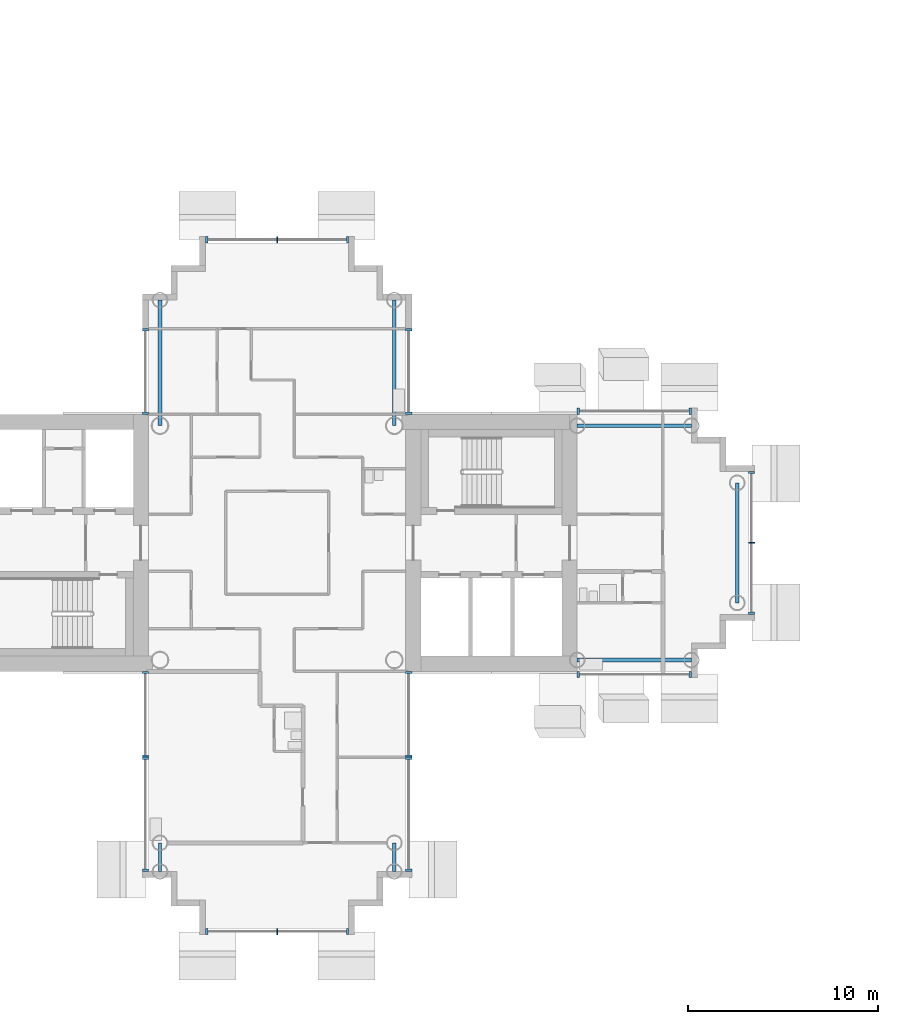
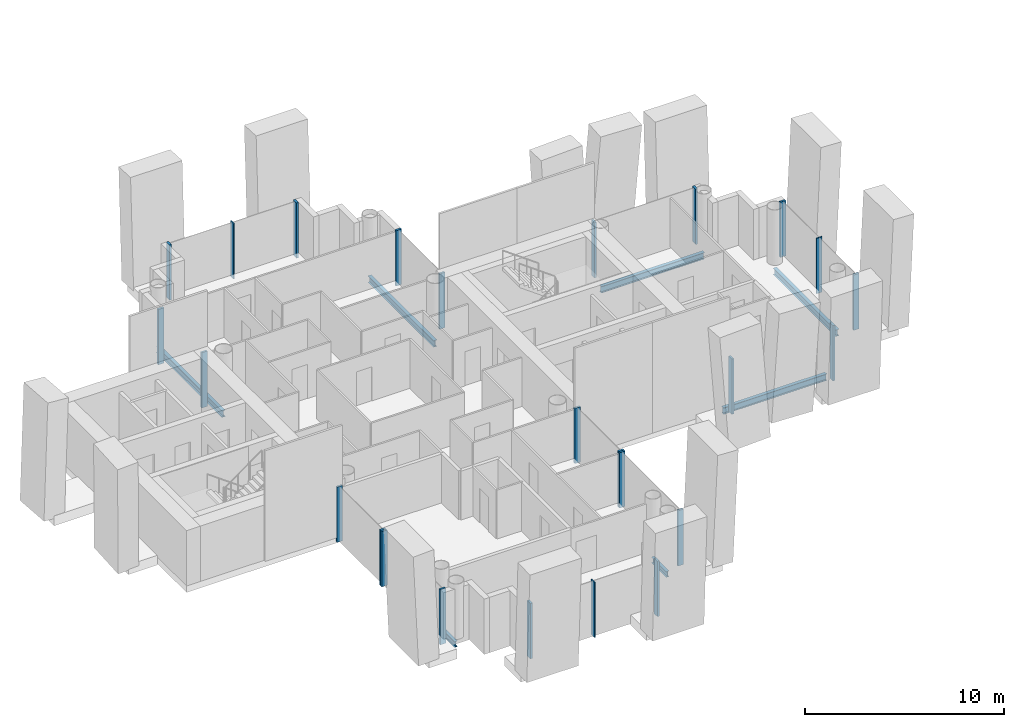
# One storey, part 3 of 18: 25 members, 7 beams, 11 elements without a shape of their own.
"""IFC4 building model written with IfcOpenShell, lengths in metres."""

from ifc_helpers import new_model, si_unit, direction, frame, origin, origin_2d, place, context, subcontext, project, spatial, rectangle, i_section, extrude, material, layer, layer_set, material_profile, profile_set, type_object, element, aggregate, save


model = new_model("IFC4")

# Units and contexts
model_context = context("Model", 3, precision=1e-05, world=origin(), true_north=direction((0.0, 1.0)))
body_context = subcontext(model_context, "Body", "Model", "MODEL_VIEW")
ifc_project = project(units=[si_unit("LENGTHUNIT", "METRE"), si_unit("AREAUNIT", "SQUARE_METRE"), si_unit("VOLUMEUNIT", "CUBIC_METRE"), si_unit("PLANEANGLEUNIT", "RADIAN"), si_unit("MASSUNIT", "GRAM", prefix="KILO")], contexts=[model_context])

# Site, building, storey
site_placement = place(None, origin())
site = spatial("IfcSite", under=ifc_project, at=site_placement, CompositionType="ELEMENT")
building_placement = place(site_placement, origin())
building = spatial("IfcBuilding", under=site, at=building_placement, Name="Ipe Terrace Towers", CompositionType="ELEMENT")
storey_placement = place(building_placement, frame((0.0, 0.0, 171.10009765625)))
storey = spatial("IfcBuildingStorey", under=building, at=storey_placement, Name="L47", CompositionType="ELEMENT", Elevation=171.10009765625)

# Beams
ifc_material_1 = material(Name="Steel S355", Category="steel")
ifc_material_profile_1 = material_profile(ifc_material_1, i_section(OverallWidth=0.175048828125, OverallDepth=0.35009765625, WebThickness=0.007080078125, FlangeThickness=0.010986328125, at=origin_2d()), Name="H-350x175x7x11")
ifc_profile_set_1 = profile_set([ifc_material_profile_1], Name="Steel S355")
beam_type_1 = type_object("IfcBeamType", Name="H04 EDGE BEAM H-350x175x7x11", PredefinedType="BEAM", material=ifc_profile_set_1)
for number, where, z_axis, x_axis, name in (
    (1, (-42.14990234375, -15.75, -0.5751953125), (0.0, -1.0, 0.0), (1.0, 0.0, 0.0), "Edge beam T1-EB-D03-D05"),
    (2, (-29.85009765625, -15.75, -0.5751953125), (0.0, -1.0, 0.0), (1.0, 0.0, 0.0), "Edge beam T1-EB-D04-D06"),
):
    element("IfcBeam", number, at=place(storey_placement, frame(where, z_axis=z_axis, x_axis=x_axis)), inside=storey, type_object=beam_type_1, Name=name, PredefinedType="BEAM", context=body_context, shape_type="SweptSolid", body=[
        extrude(i_section(OverallWidth=0.175048828125, OverallDepth=0.35009765625, WebThickness=0.007080078125, FlangeThickness=0.010986328125, at=origin_2d()), origin(), (0.0, 0.0, 1.0), 1.5),
    ])
ifc_material_2 = material(Name="Steel S355", Category="steel")
ifc_material_profile_2 = material_profile(ifc_material_2, i_section(OverallWidth=0.199951171875, OverallDepth=0.39990234375, WebThickness=0.008056640625, FlangeThickness=0.012939453125, at=origin_2d()), Name="H-400x200x8x13")
ifc_profile_set_2 = profile_set([ifc_material_profile_2], Name="Steel S355")
beam_type_2 = type_object("IfcBeamType", Name="H06 EDGE BEAM H-400x200x8x13", PredefinedType="BEAM", material=ifc_profile_set_2)
for number, where, z_axis, x_axis, name in (
    (3, (-20.25, -6.14990234375, -0.60009765625), (1.0, 0.0, 0.0), (0.0, 1.0, 0.0), "Edge beam T1-EB-A01-A03"),
    (4, (-20.25, 6.14990234375, -0.60009765625), (1.0, 0.0, 0.0), (0.0, 1.0, 0.0), "Edge beam T1-EB-A02-A04"),
):
    element("IfcBeam", number, at=place(storey_placement, frame(where, z_axis=z_axis, x_axis=x_axis)), inside=storey, type_object=beam_type_2, Name=name, PredefinedType="BEAM", context=body_context, shape_type="SweptSolid", body=[
        extrude(i_section(OverallWidth=0.199951171875, OverallDepth=0.39990234375, WebThickness=0.008056640625, FlangeThickness=0.012939453125, at=origin_2d()), origin(), (0.0, 0.0, 1.0), 6.0),
    ])
beam_placement = place(storey_placement, frame((-11.85009765625, -3.14990234375, -0.60009765625), z_axis=(0.0, 1.0, 0.0), x_axis=(-1.0, 0.0, 0.0)))
element("IfcBeam", 5, at=beam_placement, inside=storey, type_object=beam_type_2, Name="Edge beam T1-EB-A05-A06", PredefinedType="BEAM", context=body_context, shape_type="SweptSolid", body=[
    extrude(i_section(OverallWidth=0.199951171875, OverallDepth=0.39990234375, WebThickness=0.008056640625, FlangeThickness=0.012939453125, at=origin_2d()), origin(), (0.0, 0.0, 1.0), 6.2998046875),
])
for number, where, z_axis, x_axis, name in (
    (6, (-29.85009765625, 12.75, -0.60009765625), (0.0, -1.0, 0.0), (1.0, 0.0, 0.0), "Edge beam T1-EB-B01-E03"),
    (7, (-42.14990234375, 12.75, -0.60009765625), (0.0, -1.0, 0.0), (1.0, 0.0, 0.0), "Edge beam T1-EB-B02-E04"),
):
    element("IfcBeam", number, at=place(storey_placement, frame(where, z_axis=z_axis, x_axis=x_axis)), inside=storey, type_object=beam_type_2, Name=name, PredefinedType="BEAM", context=body_context, shape_type="SweptSolid", body=[
        extrude(i_section(OverallWidth=0.199951171875, OverallDepth=0.39990234375, WebThickness=0.008056640625, FlangeThickness=0.012939453125, at=origin_2d()), origin(), (0.0, 0.0, 1.0), 6.60009765625),
    ])

# Curtain wall, members
ifc_material_3 = material(Name="Aluminium alloy 6063-T6", Category="aluminium")
ifc_layer = layer(ifc_material_3, 0.320068359375)
ifc_layer_set = layer_set([ifc_layer], Name="TOWER UNITISED CURTAIN WALL")
curtain_wall_type = type_object("IfcCurtainWallType", Name="TOWER UNITISED CURTAIN WALL", PredefinedType="NOTDEFINED", material=ifc_layer_set)
curtain_wall_1_placement = place(storey_placement, origin())
curtain_wall_1 = element("IfcCurtainWall", 8, at=curtain_wall_1_placement, inside=storey, type_object=curtain_wall_type, Name="T1-CW-L47-02a curtain wall", PredefinedType="NOTDEFINED")
ifc_material_4 = material(Name="Aluminium alloy 6063-T6", Category="aluminium")
ifc_material_profile_3 = material_profile(ifc_material_4, rectangle(XDim=0.320068359375, YDim=0.1201171875, at=origin_2d()), Name="TOWER UNITISED CORNER MULLION 320 x 120")
ifc_profile_set_3 = profile_set([ifc_material_profile_3], Name="Aluminium alloy 6063-T6")
member_type_1 = type_object("IfcMemberType", Name="TOWER UNITISED CORNER MULLION 320 x 120", PredefinedType="MULLION", material=ifc_profile_set_3)
member_1_placement = place(storey_placement, frame((-42.909912109375, -6.81005859375, -0.300048828125), z_axis=(0.0, 0.0, 1.0), x_axis=(-1.0, 0.0, 0.0)))
member_1 = element("IfcMember", 9, at=member_1_placement, type_object=member_type_1, Name="T1-CW-L47-02a mullion 1", PredefinedType="MULLION", context=body_context, shape_type="SweptSolid", body=[
    extrude(rectangle(XDim=0.320068359375, YDim=0.1201171875, at=origin_2d()), origin(), (0.0, 0.0, 1.0), 3.39990234375),
])
member_2_placement = place(storey_placement, frame((-42.909912109375, -11.18994140625, -0.300048828125), z_axis=(0.0, 0.0, 1.0), x_axis=(-1.0, 0.0, 0.0)))
member_2 = element("IfcMember", 10, at=member_2_placement, type_object=member_type_1, Name="T1-CW-L47-02a mullion 2", PredefinedType="MULLION", context=body_context, shape_type="SweptSolid", body=[
    extrude(rectangle(XDim=0.320068359375, YDim=0.1201171875, at=origin_2d()), origin(), (0.0, 0.0, 1.0), 3.39990234375),
])
aggregate(curtain_wall_1, [member_1, member_2])

curtain_wall_2_placement = place(storey_placement, origin())
curtain_wall_2 = element("IfcCurtainWall", 11, at=curtain_wall_2_placement, inside=storey, type_object=curtain_wall_type, Name="T1-CW-L47-03a curtain wall", PredefinedType="NOTDEFINED")
member_3_placement = place(storey_placement, frame((-42.909912109375, -11.31005859375, -0.300048828125), z_axis=(0.0, 0.0, 1.0), x_axis=(-1.0, 0.0, 0.0)))
member_3 = element("IfcMember", 12, at=member_3_placement, type_object=member_type_1, Name="T1-CW-L47-03a mullion 1", PredefinedType="MULLION", context=body_context, shape_type="SweptSolid", body=[
    extrude(rectangle(XDim=0.320068359375, YDim=0.1201171875, at=origin_2d()), origin(), (0.0, 0.0, 1.0), 3.39990234375),
])
member_4_placement = place(storey_placement, frame((-42.909912109375, -17.18994140625, -0.300048828125), z_axis=(0.0, 0.0, 1.0), x_axis=(-1.0, 0.0, 0.0)))
member_4 = element("IfcMember", 13, at=member_4_placement, type_object=member_type_1, Name="T1-CW-L47-03a mullion 2", PredefinedType="MULLION", context=body_context, shape_type="SweptSolid", body=[
    extrude(rectangle(XDim=0.320068359375, YDim=0.1201171875, at=origin_2d()), origin(), (0.0, 0.0, 1.0), 3.39990234375),
])
aggregate(curtain_wall_2, [member_3, member_4])

curtain_wall_3_placement = place(storey_placement, origin())
curtain_wall_3 = element("IfcCurtainWall", 14, at=curtain_wall_3_placement, inside=storey, type_object=curtain_wall_type, Name="T1-CW-L47-08a curtain wall", PredefinedType="NOTDEFINED")
member_5_placement = place(storey_placement, frame((-39.68994140625, -20.409912109375, -0.300048828125), z_axis=(0.0, 0.0, 1.0), x_axis=(0.0, -1.0, 0.0)))
member_5 = element("IfcMember", 15, at=member_5_placement, type_object=member_type_1, Name="T1-CW-L47-08a mullion 1", PredefinedType="MULLION", context=body_context, shape_type="SweptSolid", body=[
    extrude(rectangle(XDim=0.320068359375, YDim=0.1201171875, at=origin_2d()), origin(), (0.0, 0.0, 1.0), 3.39990234375),
])
member_6_placement = place(storey_placement, frame((-32.31005859375, -20.409912109375, -0.300048828125), z_axis=(0.0, 0.0, 1.0), x_axis=(0.0, -1.0, 0.0)))
member_6 = element("IfcMember", 16, at=member_6_placement, type_object=member_type_1, Name="T1-CW-L47-08a mullion 3", PredefinedType="MULLION", context=body_context, shape_type="SweptSolid", body=[
    extrude(rectangle(XDim=0.320068359375, YDim=0.1201171875, at=origin_2d()), origin(), (0.0, 0.0, 1.0), 3.39990234375),
])

curtain_wall_4_placement = place(storey_placement, origin())
curtain_wall_4 = element("IfcCurtainWall", 17, at=curtain_wall_4_placement, inside=storey, type_object=curtain_wall_type, Name="T1-CW-L47-13a curtain wall", PredefinedType="NOTDEFINED")
member_7_placement = place(storey_placement, frame((-29.090087890625, -17.18994140625, -0.300048828125), z_axis=(0.0, 0.0, 1.0), x_axis=(1.0, 0.0, 0.0)))
member_7 = element("IfcMember", 18, at=member_7_placement, type_object=member_type_1, Name="T1-CW-L47-13a mullion 1", PredefinedType="MULLION", context=body_context, shape_type="SweptSolid", body=[
    extrude(rectangle(XDim=0.320068359375, YDim=0.1201171875, at=origin_2d()), origin(), (0.0, 0.0, 1.0), 3.39990234375),
])
member_8_placement = place(storey_placement, frame((-29.090087890625, -11.31005859375, -0.300048828125), z_axis=(0.0, 0.0, 1.0), x_axis=(1.0, 0.0, 0.0)))
member_8 = element("IfcMember", 19, at=member_8_placement, type_object=member_type_1, Name="T1-CW-L47-13a mullion 2", PredefinedType="MULLION", context=body_context, shape_type="SweptSolid", body=[
    extrude(rectangle(XDim=0.320068359375, YDim=0.1201171875, at=origin_2d()), origin(), (0.0, 0.0, 1.0), 3.39990234375),
])
aggregate(curtain_wall_4, [member_7, member_8])

curtain_wall_5_placement = place(storey_placement, origin())
curtain_wall_5 = element("IfcCurtainWall", 20, at=curtain_wall_5_placement, inside=storey, type_object=curtain_wall_type, Name="T1-CW-L47-14a curtain wall", PredefinedType="NOTDEFINED")
member_9_placement = place(storey_placement, frame((-29.090087890625, -11.18994140625, -0.300048828125), z_axis=(0.0, 0.0, 1.0), x_axis=(1.0, 0.0, 0.0)))
member_9 = element("IfcMember", 21, at=member_9_placement, type_object=member_type_1, Name="T1-CW-L47-14a mullion 1", PredefinedType="MULLION", context=body_context, shape_type="SweptSolid", body=[
    extrude(rectangle(XDim=0.320068359375, YDim=0.1201171875, at=origin_2d()), origin(), (0.0, 0.0, 1.0), 3.39990234375),
])
member_10_placement = place(storey_placement, frame((-29.090087890625, -6.81005859375, -0.300048828125), z_axis=(0.0, 0.0, 1.0), x_axis=(1.0, 0.0, 0.0)))
member_10 = element("IfcMember", 22, at=member_10_placement, type_object=member_type_1, Name="T1-CW-L47-14a mullion 2", PredefinedType="MULLION", context=body_context, shape_type="SweptSolid", body=[
    extrude(rectangle(XDim=0.320068359375, YDim=0.1201171875, at=origin_2d()), origin(), (0.0, 0.0, 1.0), 3.39990234375),
])
aggregate(curtain_wall_5, [member_9, member_10])

curtain_wall_6_placement = place(storey_placement, origin())
curtain_wall_6 = element("IfcCurtainWall", 23, at=curtain_wall_6_placement, inside=storey, type_object=curtain_wall_type, Name="T1-CW-L47-16b curtain wall", PredefinedType="NOTDEFINED")
member_11_placement = place(storey_placement, frame((-20.18896484375, -6.909912109375, -0.300048828125), z_axis=(0.0, 0.0, 1.0), x_axis=(0.0, -1.0, 0.0)))
member_11 = element("IfcMember", 24, at=member_11_placement, type_object=member_type_1, Name="T1-CW-L47-16b mullion 1", PredefinedType="MULLION", context=body_context, shape_type="SweptSolid", body=[
    extrude(rectangle(XDim=0.320068359375, YDim=0.1201171875, at=origin_2d()), origin(), (0.0, 0.0, 1.0), 3.39990234375),
])
member_12_placement = place(storey_placement, frame((-14.31005859375, -6.909912109375, -0.300048828125), z_axis=(0.0, 0.0, 1.0), x_axis=(0.0, -1.0, 0.0)))
member_12 = element("IfcMember", 25, at=member_12_placement, type_object=member_type_1, Name="T1-CW-L47-16b mullion 2", PredefinedType="MULLION", context=body_context, shape_type="SweptSolid", body=[
    extrude(rectangle(XDim=0.320068359375, YDim=0.1201171875, at=origin_2d()), origin(), (0.0, 0.0, 1.0), 3.39990234375),
])
aggregate(curtain_wall_6, [member_11, member_12])

curtain_wall_7_placement = place(storey_placement, origin())
curtain_wall_7 = element("IfcCurtainWall", 26, at=curtain_wall_7_placement, inside=storey, type_object=curtain_wall_type, Name="T1-CW-L47-21a curtain wall", PredefinedType="NOTDEFINED")
member_13_placement = place(storey_placement, frame((-11.090087890625, -3.68994140625, -0.300048828125), z_axis=(0.0, 0.0, 1.0), x_axis=(1.0, 0.0, 0.0)))
member_13 = element("IfcMember", 27, at=member_13_placement, type_object=member_type_1, Name="T1-CW-L47-21a mullion 1", PredefinedType="MULLION", context=body_context, shape_type="SweptSolid", body=[
    extrude(rectangle(XDim=0.320068359375, YDim=0.1201171875, at=origin_2d()), origin(), (0.0, 0.0, 1.0), 3.39990234375),
])
member_14_placement = place(storey_placement, frame((-11.090087890625, 3.68994140625, -0.300048828125), z_axis=(0.0, 0.0, 1.0), x_axis=(1.0, 0.0, 0.0)))
member_14 = element("IfcMember", 28, at=member_14_placement, type_object=member_type_1, Name="T1-CW-L47-21a mullion 3", PredefinedType="MULLION", context=body_context, shape_type="SweptSolid", body=[
    extrude(rectangle(XDim=0.320068359375, YDim=0.1201171875, at=origin_2d()), origin(), (0.0, 0.0, 1.0), 3.39990234375),
])

curtain_wall_8_placement = place(storey_placement, origin())
curtain_wall_8 = element("IfcCurtainWall", 29, at=curtain_wall_8_placement, inside=storey, type_object=curtain_wall_type, Name="T1-CW-L47-26a curtain wall", PredefinedType="NOTDEFINED")
member_15_placement = place(storey_placement, frame((-14.31005859375, 6.909912109375, -0.300048828125), z_axis=(0.0, 0.0, 1.0), x_axis=(0.0, 1.0, 0.0)))
member_15 = element("IfcMember", 30, at=member_15_placement, type_object=member_type_1, Name="T1-CW-L47-26a mullion 1", PredefinedType="MULLION", context=body_context, shape_type="SweptSolid", body=[
    extrude(rectangle(XDim=0.320068359375, YDim=0.1201171875, at=origin_2d()), origin(), (0.0, 0.0, 1.0), 3.39990234375),
])
member_16_placement = place(storey_placement, frame((-20.18896484375, 6.909912109375, -0.300048828125), z_axis=(0.0, 0.0, 1.0), x_axis=(0.0, 1.0, 0.0)))
member_16 = element("IfcMember", 31, at=member_16_placement, type_object=member_type_1, Name="T1-CW-L47-26a mullion 2", PredefinedType="MULLION", context=body_context, shape_type="SweptSolid", body=[
    extrude(rectangle(XDim=0.320068359375, YDim=0.1201171875, at=origin_2d()), origin(), (0.0, 0.0, 1.0), 3.39990234375),
])
aggregate(curtain_wall_8, [member_15, member_16])

curtain_wall_9_placement = place(storey_placement, origin())
curtain_wall_9 = element("IfcCurtainWall", 32, at=curtain_wall_9_placement, inside=storey, type_object=curtain_wall_type, Name="T1-CW-L47-28a curtain wall", PredefinedType="NOTDEFINED")
member_17_placement = place(storey_placement, frame((-29.090087890625, 6.81005859375, -0.300048828125), z_axis=(0.0, 0.0, 1.0), x_axis=(1.0, 0.0, 0.0)))
member_17 = element("IfcMember", 33, at=member_17_placement, type_object=member_type_1, Name="T1-CW-L47-28a mullion 1", PredefinedType="MULLION", context=body_context, shape_type="SweptSolid", body=[
    extrude(rectangle(XDim=0.320068359375, YDim=0.1201171875, at=origin_2d()), origin(), (0.0, 0.0, 1.0), 3.39990234375),
])
member_18_placement = place(storey_placement, frame((-29.090087890625, 11.18994140625, -0.300048828125), z_axis=(0.0, 0.0, 1.0), x_axis=(1.0, 0.0, 0.0)))
member_18 = element("IfcMember", 34, at=member_18_placement, type_object=member_type_1, Name="T1-CW-L47-28a mullion 2", PredefinedType="MULLION", context=body_context, shape_type="SweptSolid", body=[
    extrude(rectangle(XDim=0.320068359375, YDim=0.1201171875, at=origin_2d()), origin(), (0.0, 0.0, 1.0), 3.39990234375),
])
aggregate(curtain_wall_9, [member_17, member_18])

curtain_wall_10_placement = place(storey_placement, origin())
curtain_wall_10 = element("IfcCurtainWall", 35, at=curtain_wall_10_placement, inside=storey, type_object=curtain_wall_type, Name="T1-CW-L47-34a curtain wall", PredefinedType="NOTDEFINED")
member_19_placement = place(storey_placement, frame((-32.31005859375, 15.909912109375, -0.300048828125), z_axis=(0.0, 0.0, 1.0), x_axis=(0.0, 1.0, 0.0)))
member_19 = element("IfcMember", 36, at=member_19_placement, type_object=member_type_1, Name="T1-CW-L47-34a mullion 1", PredefinedType="MULLION", context=body_context, shape_type="SweptSolid", body=[
    extrude(rectangle(XDim=0.320068359375, YDim=0.1201171875, at=origin_2d()), origin(), (0.0, 0.0, 1.0), 3.39990234375),
])
member_20_placement = place(storey_placement, frame((-39.68994140625, 15.909912109375, -0.300048828125), z_axis=(0.0, 0.0, 1.0), x_axis=(0.0, 1.0, 0.0)))
member_20 = element("IfcMember", 37, at=member_20_placement, type_object=member_type_1, Name="T1-CW-L47-34a mullion 3", PredefinedType="MULLION", context=body_context, shape_type="SweptSolid", body=[
    extrude(rectangle(XDim=0.320068359375, YDim=0.1201171875, at=origin_2d()), origin(), (0.0, 0.0, 1.0), 3.39990234375),
])

curtain_wall_11_placement = place(storey_placement, origin())
curtain_wall_11 = element("IfcCurtainWall", 38, at=curtain_wall_11_placement, inside=storey, type_object=curtain_wall_type, Name="T1-CW-L47-40a curtain wall", PredefinedType="NOTDEFINED")
member_21_placement = place(storey_placement, frame((-42.909912109375, 11.18994140625, -0.300048828125), z_axis=(0.0, 0.0, 1.0), x_axis=(-1.0, 0.0, 0.0)))
member_21 = element("IfcMember", 39, at=member_21_placement, type_object=member_type_1, Name="T1-CW-L47-40a mullion 1", PredefinedType="MULLION", context=body_context, shape_type="SweptSolid", body=[
    extrude(rectangle(XDim=0.320068359375, YDim=0.1201171875, at=origin_2d()), origin(), (0.0, 0.0, 1.0), 3.39990234375),
])
member_22_placement = place(storey_placement, frame((-42.909912109375, 6.81005859375, -0.300048828125), z_axis=(0.0, 0.0, 1.0), x_axis=(-1.0, 0.0, 0.0)))
member_22 = element("IfcMember", 40, at=member_22_placement, type_object=member_type_1, Name="T1-CW-L47-40a mullion 2", PredefinedType="MULLION", context=body_context, shape_type="SweptSolid", body=[
    extrude(rectangle(XDim=0.320068359375, YDim=0.1201171875, at=origin_2d()), origin(), (0.0, 0.0, 1.0), 3.39990234375),
])
aggregate(curtain_wall_11, [member_21, member_22])

# Member
ifc_material_5 = material(Name="Aluminium alloy 6063-T6", Category="aluminium")
ifc_material_profile_4 = material_profile(ifc_material_5, rectangle(XDim=0.320068359375, YDim=0.06494140625, at=origin_2d()), Name="TOWER UNITISED MULLION 320 x 65")
ifc_profile_set_4 = profile_set([ifc_material_profile_4], Name="Aluminium alloy 6063-T6")
member_type_2 = type_object("IfcMemberType", Name="TOWER UNITISED MULLION 320 x 65", PredefinedType="MULLION", material=ifc_profile_set_4)
member_23_placement = place(storey_placement, frame((-36.0, -20.409912109375, -0.300048828125), z_axis=(0.0, 0.0, 1.0), x_axis=(0.0, -1.0, 0.0)))
member_23 = element("IfcMember", 41, at=member_23_placement, type_object=member_type_2, Name="T1-CW-L47-08a mullion 2", PredefinedType="MULLION", context=body_context, shape_type="SweptSolid", body=[
    extrude(rectangle(XDim=0.320068359375, YDim=0.06494140625, at=origin_2d()), origin(), (0.0, 0.0, 1.0), 3.39990234375),
])

aggregate(curtain_wall_3, [member_5, member_23, member_6])

member_24_placement = place(storey_placement, frame((-11.090087890625, 0.0, -0.300048828125), z_axis=(0.0, 0.0, 1.0), x_axis=(1.0, 0.0, 0.0)))
member_24 = element("IfcMember", 42, at=member_24_placement, type_object=member_type_2, Name="T1-CW-L47-21a mullion 2", PredefinedType="MULLION", context=body_context, shape_type="SweptSolid", body=[
    extrude(rectangle(XDim=0.320068359375, YDim=0.06494140625, at=origin_2d()), origin(), (0.0, 0.0, 1.0), 3.39990234375),
])

aggregate(curtain_wall_7, [member_13, member_24, member_14])

member_25_placement = place(storey_placement, frame((-36.0, 15.909912109375, -0.300048828125), z_axis=(0.0, 0.0, 1.0), x_axis=(0.0, 1.0, 0.0)))
member_25 = element("IfcMember", 43, at=member_25_placement, type_object=member_type_2, Name="T1-CW-L47-34a mullion 2", PredefinedType="MULLION", context=body_context, shape_type="SweptSolid", body=[
    extrude(rectangle(XDim=0.320068359375, YDim=0.06494140625, at=origin_2d()), origin(), (0.0, 0.0, 1.0), 3.39990234375),
])

aggregate(curtain_wall_10, [member_19, member_25, member_20])

save(model, "model.ifc")
